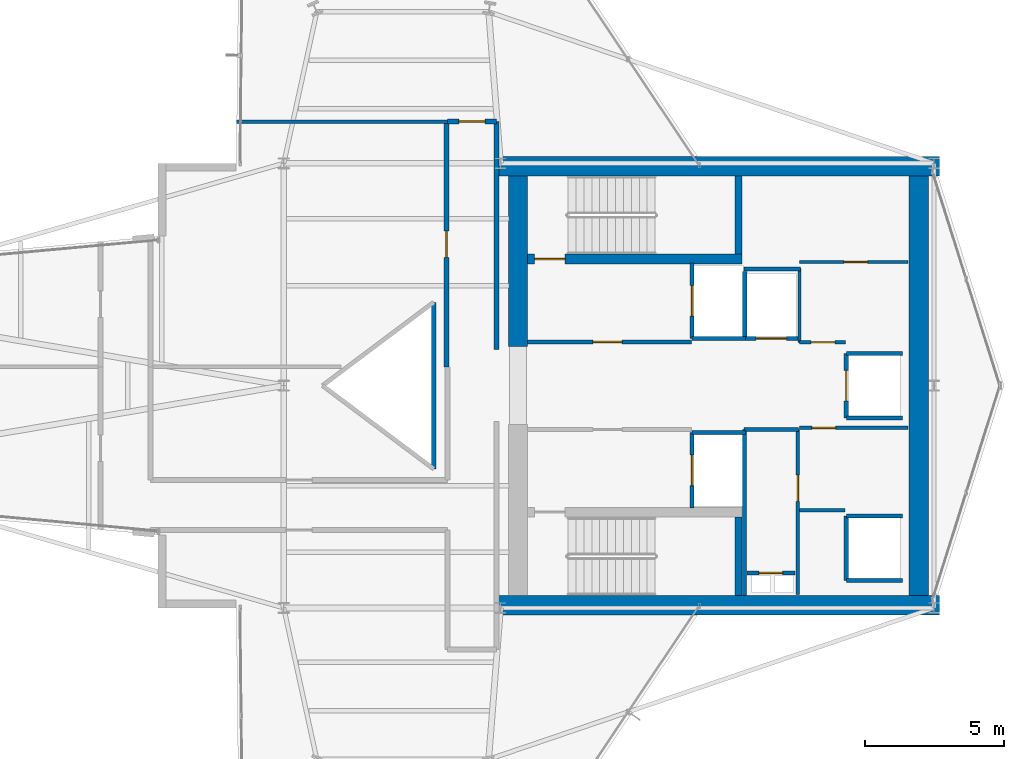
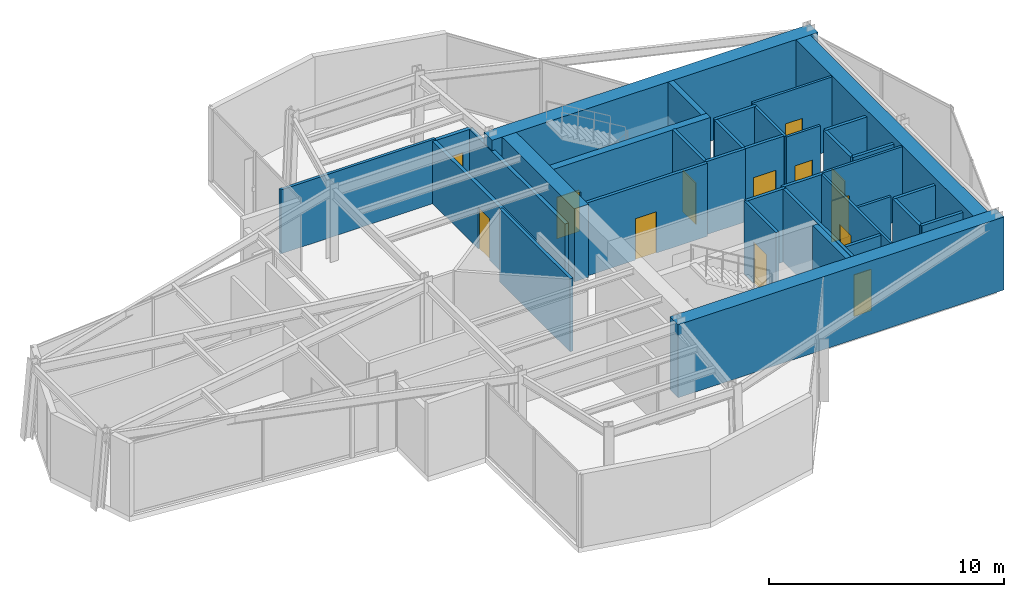
# One storey, part 19 of 21: 35 walls, 13 doors, 13 openings.
"""IFC4 building model written with IfcOpenShell, lengths in metres."""

import ifcopenshell
import ifcopenshell.guid

model = None  # the IFC model being written
_history = None  # IfcOwnerHistory: only IFC2X3 demands one
_inside = {}  # id of a spatial element -> (the spatial element, [elements in it])
_under = {}  # id of a project, library or spatial element -> (it, [spatial elements below it])
_declared = {}  # id of a project -> (the project, [libraries it declares])
_typed = {}  # id of a type object -> (the type object, [elements of that type])
_made_of = {}  # id of a material, layer set ... -> (it, [elements and type objects made of it])


def new_model(schema):
    """Start an empty IFC model of exactly this schema.

    Asked for "IFC4X3", IfcOpenShell would pick the latest addendum, in which some entities
    have other attributes; the version numbers below select the first issue.
    IFC2X3 requires an IfcOwnerHistory on every rooted entity: one is made here for all.
    """
    global model, _history
    if schema == "IFC4X3":
        model = ifcopenshell.file(schema_version=(4, 3, 0, 0))
    else:
        model = ifcopenshell.file(schema=schema)
    _inside.clear()
    _under.clear()
    _declared.clear()
    _typed.clear()
    _made_of.clear()
    _history = None
    if model.schema == "IFC2X3":
        org = make("IfcOrganization", Name="unknown")
        user = make(
            "IfcPersonAndOrganization",
            ThePerson=make("IfcPerson", FamilyName="unknown"),
            TheOrganization=org,
        )
        app = make(
            "IfcApplication",
            ApplicationDeveloper=org,
            Version="unknown",
            ApplicationFullName="unknown",
            ApplicationIdentifier="unknown",
        )
        _history = make(
            "IfcOwnerHistory",
            OwningUser=user,
            OwningApplication=app,
            ChangeAction="ADDED",
            CreationDate=0,
        )
    return model


def make(cls, **values):
    """One entity of the class cls with the attributes given. An attribute that is None is left unset."""
    return model.create_entity(
        cls, **{name: value for name, value in values.items() if value is not None}
    )


def rooted(cls, **values):
    """An entity with a GlobalId (a new one), such as an element, a storey or a relation."""
    return make(cls, GlobalId=ifcopenshell.guid.new(), OwnerHistory=_history, **values)


def si_unit(unit_type, name, prefix=None):
    """IfcSIUnit, for example si_unit("LENGTHUNIT", "METRE", prefix="MILLI")."""
    return make("IfcSIUnit", UnitType=unit_type, Prefix=prefix, Name=name)


def assignment(units):
    """IfcUnitAssignment: the units of a project."""
    return None if units is None else make("IfcUnitAssignment", Units=units)


def point(xyz):
    """IfcCartesianPoint."""
    return None if xyz is None else make("IfcCartesianPoint", Coordinates=xyz)


def direction(xyz):
    """IfcDirection."""
    return None if xyz is None else make("IfcDirection", DirectionRatios=xyz)


def frame(location, z_axis=None, x_axis=None):
    """IfcAxis2Placement3D, a coordinate frame: its origin and axes. An axis left out is left unset."""
    return make(
        "IfcAxis2Placement3D",
        Location=point(location),
        Axis=direction(z_axis),
        RefDirection=direction(x_axis),
    )


def frame_2d(location, x_axis=None):
    """IfcAxis2Placement2D, a coordinate frame in the plane: its origin and x axis."""
    return make(
        "IfcAxis2Placement2D", Location=point(location), RefDirection=direction(x_axis)
    )


def origin():
    """The frame at (0, 0, 0) with its axes left unset."""
    return frame((0.0, 0.0, 0.0))


def place(relative_to, where):
    """IfcLocalPlacement: puts the frame where relative to a parent placement (None: the world)."""
    return make(
        "IfcLocalPlacement", PlacementRelTo=relative_to, RelativePlacement=where
    )


def context(
    kind, dimensions, precision=None, world=None, true_north=None, identifier=None
):
    """IfcGeometricRepresentationContext, for example the 3D "Model" context."""
    return make(
        "IfcGeometricRepresentationContext",
        ContextIdentifier=identifier,
        ContextType=kind,
        CoordinateSpaceDimension=dimensions,
        Precision=precision,
        WorldCoordinateSystem=world,
        TrueNorth=true_north,
    )


def subcontext(parent, identifier, kind, view, scale=None):
    """IfcGeometricRepresentationSubContext, for example "Body" below "Model"."""
    return make(
        "IfcGeometricRepresentationSubContext",
        ContextIdentifier=identifier,
        ContextType=kind,
        ParentContext=parent,
        TargetScale=scale,
        TargetView=view,
    )


def project(units=None, contexts=None):
    """IfcProject with its units and contexts."""
    return rooted(
        "IfcProject",
        Name="project",
        RepresentationContexts=contexts,
        UnitsInContext=assignment(units),
    )


def spatial(cls, under=None, at=None, **own):
    """A site, building, storey or space (cls), placed at a placement, below another one or the project."""
    s = rooted(cls, ObjectPlacement=at, **own)
    if under is not None:
        _under.setdefault(under.id(), (under, []))[1].append(s)
    return s


def profile(cls, at=None, kind="AREA", **sizes):
    """A parametric profile (cls). Its sizes go by their IFC names, for example OverallWidth=200.0."""
    return make(cls, ProfileType=kind, Position=at, **sizes)


def rectangle(**sizes):
    """IfcRectangleProfileDef."""
    return profile("IfcRectangleProfileDef", **sizes)


def extrude(swept, where, along, depth):
    """IfcExtrudedAreaSolid: the profile swept, set in the frame where, extruded along a direction by depth."""
    return make(
        "IfcExtrudedAreaSolid",
        SweptArea=swept,
        Position=where,
        ExtrudedDirection=direction(along),
        Depth=depth,
    )


def shape(context_of_items, identifier, shape_type, items):
    """IfcShapeRepresentation: the items that make up one representation, for example the "Body"."""
    return make(
        "IfcShapeRepresentation",
        ContextOfItems=context_of_items,
        RepresentationIdentifier=identifier,
        RepresentationType=shape_type,
        Items=items,
    )


def material(Name=None, Category=None):
    """IfcMaterial."""
    return make("IfcMaterial", Name=Name, Category=Category)


def layer(
    of_material, thickness, ventilated=None, Name=None, Category=None, Priority=None
):
    """IfcMaterialLayer: one layer of a wall or slab, of a material (None: an air gap)."""
    return make(
        "IfcMaterialLayer",
        Material=of_material,
        LayerThickness=thickness,
        IsVentilated=ventilated,
        Name=Name,
        Category=Category,
        Priority=Priority,
    )


def layer_set(layers, Name=None):
    """IfcMaterialLayerSet."""
    return make("IfcMaterialLayerSet", MaterialLayers=layers, LayerSetName=Name)


def made_of(thing, what):
    """Note that an element or type object is made of a material, layer set ...; save() writes the relation."""
    if what is not None:
        _made_of.setdefault(what.id(), (what, []))[1].append(thing)
    return thing


def type_object(cls, material=None, **own):
    """A type object (cls), such as IfcWallType, which elements share."""
    return made_of(rooted(cls, **own), material)


def element(
    cls,
    number,
    at=None,
    inside=None,
    cuts=None,
    type_object=None,
    material=None,
    context=None,
    identifier="Body",
    shape_type=None,
    held_by="IfcProductDefinitionShape",
    body=None,
    shapes=None,
    **own,
):
    """One element of the class cls, such as IfcWall. Its Tag is "e" and its number.

    at: its placement. inside: the storey or other place that contains it. cuts: it is an
    opening in that element (IfcRelVoidsElement). A single representation is given by context,
    identifier, shape_type and body (its items); several are given by shapes. held_by: the class
    of the entity that holds the representations. save() writes the other relations.
    """
    e = rooted(cls, Tag="e%d" % number, ObjectPlacement=at, **own)
    if body is not None:
        shapes = [shape(context, identifier, shape_type, body)]
    if shapes is not None:
        e.Representation = make(held_by, Representations=shapes)
    if inside is not None:
        _inside.setdefault(inside.id(), (inside, []))[1].append(e)
    if cuts is not None:
        rooted(
            "IfcRelVoidsElement", RelatingBuildingElement=cuts, RelatedOpeningElement=e
        )
    if type_object is not None:
        _typed.setdefault(type_object.id(), (type_object, []))[1].append(e)
    return made_of(e, material)


def fill(opening, filler):
    """IfcRelFillsElement: the door or window that sits in an opening."""
    return rooted(
        "IfcRelFillsElement",
        RelatingOpeningElement=opening,
        RelatedBuildingElement=filler,
    )


def aggregate(whole, parts):
    """IfcRelAggregates: a whole, such as a stair, and the parts it consists of."""
    return rooted("IfcRelAggregates", RelatingObject=whole, RelatedObjects=parts)


def save(model, path):
    """Write the relations noted so far, then the file.

    IfcRelAggregates (storeys below a building ...), IfcRelContainedInSpatialStructure (elements
    in a storey), IfcRelDefinesByType, IfcRelAssociatesMaterial and IfcRelDeclares: one each for
    every whole, place, type object, material and project.
    """
    for whole, parts in _under.values():
        aggregate(whole, parts)
    for where, things in _inside.values():
        rooted(
            "IfcRelContainedInSpatialStructure",
            RelatedElements=things,
            RelatingStructure=where,
        )
    for kind, things in _typed.values():
        rooted("IfcRelDefinesByType", RelatedObjects=things, RelatingType=kind)
    for what, things in _made_of.values():
        rooted("IfcRelAssociatesMaterial", RelatedObjects=things, RelatingMaterial=what)
    for by, libraries in _declared.values():
        rooted("IfcRelDeclares", RelatingContext=by, RelatedDefinitions=libraries)
    model.write(path)


model = new_model("IFC4")

# Units and contexts
model_context = context("Model", 3, precision=1e-05, world=origin(), true_north=direction((0.0, 1.0)))
body_context = subcontext(model_context, "Body", "Model", "MODEL_VIEW")
ifc_project = project(units=[si_unit("LENGTHUNIT", "METRE"), si_unit("AREAUNIT", "SQUARE_METRE"), si_unit("VOLUMEUNIT", "CUBIC_METRE"), si_unit("PLANEANGLEUNIT", "RADIAN"), si_unit("MASSUNIT", "GRAM", prefix="KILO")], contexts=[model_context])

# Site, building, storey
site_placement = place(None, origin())
site = spatial("IfcSite", under=ifc_project, at=site_placement, CompositionType="ELEMENT")
building_placement = place(site_placement, origin())
building = spatial("IfcBuilding", under=site, at=building_placement, Name="Veymaron Broadcast Tower", CompositionType="ELEMENT")
storey_placement = place(building_placement, frame((0.0, 0.0, 212.10009765625)))
storey = spatial("IfcBuildingStorey", under=building, at=storey_placement, Name="L49", CompositionType="ELEMENT", Elevation=212.10009765625)

# Wall, opening, door
ifc_material_1 = material(Name="Gypsum fireboard and steel stud framing", Category="steel")
ifc_layer_1 = layer(ifc_material_1, 0.14990234375)
ifc_layer_set_1 = layer_set([ifc_layer_1], Name="Gypsum fireboard and steel stud framing")
wall_type_1 = type_object("IfcWallType", Name="WALL-FIRE-150", PredefinedType="PARTITIONING", material=ifc_layer_set_1)
wall_1_placement = place(storey_placement, frame((39.97998046875, 25.574951171875, 0.0), z_axis=(0.0, 0.0, 1.0), x_axis=(1.0, 0.0, 0.0)))
wall_1 = element("IfcWall", 1, at=wall_1_placement, inside=storey, type_object=wall_type_1, Name="L49 partition IW-L49-FFLN-S", PredefinedType="PARTITIONING", context=body_context, shape_type="SweptSolid", body=[
    extrude(rectangle(XDim=5.89990234375, YDim=0.14990234375, at=frame_2d((2.949951171875, 0.0))), origin(), (0.0, 0.0, 1.0), 3.789794921875),
])
opening_1_placement = place(wall_1_placement, frame((2.35009765625, 0.0, 0.0)))
opening_1 = element("IfcOpeningElement", 2, at=opening_1_placement, cuts=wall_1, Name="Opening ID-FL1", PredefinedType="OPENING", context=body_context, shape_type="SweptSolid", body=[
    extrude(rectangle(XDim=1.050048828125, YDim=2.14990234375, at=frame_2d((0.52490234375, 1.074951171875))), frame((0.0, 0.0849609375, 0.0), z_axis=(0.0, -1.0, 0.0), x_axis=(1.0, 0.0, 0.0)), (0.0, 0.0, 1.0), 0.169921875),
])
ifc_material_2 = material(Name="Fire-rated painted hollow steel ASTM A653", Category="steel")
door_type_1 = type_object("IfcDoorType", Name="DOOR-FIRE-1050", OperationType="NOTDEFINED", PredefinedType="DOOR", material=ifc_material_2)
door_1_placement = place(opening_1_placement, origin())
door_1 = element("IfcDoor", 3, at=door_1_placement, inside=storey, type_object=door_type_1, Name="L49 door DR-L49-FFLN", OperationType="SINGLE_SWING_LEFT", OverallHeight=2.14990234375, OverallWidth=1.050048828125, PredefinedType="DOOR", context=body_context, shape_type="SweptSolid", body=[
    extrude(rectangle(XDim=1.050048828125, YDim=2.14990234375, at=frame_2d((0.52490234375, 1.074951171875))), frame((0.0, 0.02490234375, 0.0), z_axis=(0.0, -1.0, 0.0), x_axis=(1.0, 0.0, 0.0)), (0.0, 0.0, 1.0), 0.050048828125),
])
fill(opening_1, door_1)

wall_2_placement = place(storey_placement, frame((45.89501953125, 25.68994140625, 0.0), z_axis=(0.0, 0.0, 1.0), x_axis=(0.0, 1.0, 0.0)))
wall_2 = element("IfcWall", 4, at=wall_2_placement, inside=storey, type_object=wall_type_1, Name="L49 partition IW-L49-SHW-FFL-1", PredefinedType="PARTITIONING", context=body_context, shape_type="SweptSolid", body=[
    extrude(rectangle(XDim=2.719970703125, YDim=0.14990234375, at=frame_2d((1.35986328125, 0.0))), origin(), (0.0, 0.0, 1.0), 3.789794921875),
])
opening_2_placement = place(wall_2_placement, frame((0.81005859375, 0.0, 0.0)))
opening_2 = element("IfcOpeningElement", 5, at=opening_2_placement, cuts=wall_2, Name="Opening LD", PredefinedType="OPENING", context=body_context, shape_type="SweptSolid", body=[
    extrude(rectangle(XDim=1.10009765625, YDim=2.14990234375, at=frame_2d((0.550048828125, 1.074951171875))), frame((0.0, 0.0849609375, 0.0), z_axis=(0.0, -1.0, 0.0), x_axis=(1.0, 0.0, 0.0)), (0.0, 0.0, 1.0), 0.169921875),
])
ifc_material_3 = material(Name="Brushed stainless steel AISI 304", Category="steel")
door_type_2 = type_object("IfcDoorType", Name="DOOR-LIFT-1100", OperationType="DOUBLE_DOOR_SLIDING", PredefinedType="DOOR", material=ifc_material_3)
door_2_placement = place(opening_2_placement, frame((1.10009765625, 0.0, 0.0), z_axis=(0.0, 0.0, 1.0), x_axis=(-1.0, 0.0, 0.0)))
door_2 = element("IfcDoor", 6, at=door_2_placement, inside=storey, type_object=door_type_2, Name="L49 door LD-L49-FFL-1", OperationType="DOUBLE_DOOR_SLIDING", OverallHeight=2.14990234375, OverallWidth=1.10009765625, PredefinedType="DOOR", context=body_context, shape_type="SweptSolid", body=[
    extrude(rectangle(XDim=1.10009765625, YDim=2.14990234375, at=frame_2d((0.550048828125, 1.074951171875))), frame((0.0, 0.02490234375, 0.0), z_axis=(0.0, -1.0, 0.0), x_axis=(1.0, 0.0, 0.0)), (0.0, 0.0, 1.0), 0.050048828125),
])
fill(opening_2, door_2)

# Wall
wall_3_placement = place(storey_placement, frame((45.89501953125, 25.68994140625, 0.0), z_axis=(0.0, 0.0, 1.0), x_axis=(1.0, 0.0, 0.0)))
element("IfcWall", 7, at=wall_3_placement, inside=storey, type_object=wall_type_1, Name="L49 partition IW-L49-SHS-FFL-1", PredefinedType="PARTITIONING", context=body_context, shape_type="SweptSolid", body=[
    extrude(rectangle(XDim=1.9150390625, YDim=0.14990234375, at=frame_2d((0.95751953125, 0.0))), origin(), (0.0, 0.0, 1.0), 3.789794921875),
])

# Wall, opening, door
wall_4_placement = place(storey_placement, frame((45.89501953125, 19.590087890625, 0.0), z_axis=(0.0, 0.0, 1.0), x_axis=(0.0, 1.0, 0.0)))
wall_4 = element("IfcWall", 8, at=wall_4_placement, inside=storey, type_object=wall_type_1, Name="L49 partition IW-L49-SHW-FFL-2", PredefinedType="PARTITIONING", context=body_context, shape_type="SweptSolid", body=[
    extrude(rectangle(XDim=2.719970703125, YDim=0.14990234375, at=frame_2d((1.35986328125, 0.0))), origin(), (0.0, 0.0, 1.0), 3.789794921875),
])
opening_3_placement = place(wall_4_placement, frame((0.81005859375, 0.0, 0.0)))
opening_3 = element("IfcOpeningElement", 9, at=opening_3_placement, cuts=wall_4, Name="Opening LD", PredefinedType="OPENING", context=body_context, shape_type="SweptSolid", body=[
    extrude(rectangle(XDim=1.10009765625, YDim=2.14990234375, at=frame_2d((0.550048828125, 1.074951171875))), frame((0.0, 0.0849609375, 0.0), z_axis=(0.0, -1.0, 0.0), x_axis=(1.0, 0.0, 0.0)), (0.0, 0.0, 1.0), 0.169921875),
])
door_3_placement = place(opening_3_placement, frame((1.10009765625, 0.0, 0.0), z_axis=(0.0, 0.0, 1.0), x_axis=(-1.0, 0.0, 0.0)))
door_3 = element("IfcDoor", 10, at=door_3_placement, inside=storey, type_object=door_type_2, Name="L49 door LD-L49-FFL-2", OperationType="DOUBLE_DOOR_SLIDING", OverallHeight=2.14990234375, OverallWidth=1.10009765625, PredefinedType="DOOR", context=body_context, shape_type="SweptSolid", body=[
    extrude(rectangle(XDim=1.10009765625, YDim=2.14990234375, at=frame_2d((0.550048828125, 1.074951171875))), frame((0.0, 0.02490234375, 0.0), z_axis=(0.0, -1.0, 0.0), x_axis=(1.0, 0.0, 0.0)), (0.0, 0.0, 1.0), 0.050048828125),
])
fill(opening_3, door_3)

# Wall
wall_5_placement = place(storey_placement, frame((45.89501953125, 22.31005859375, 0.0), z_axis=(0.0, 0.0, 1.0), x_axis=(1.0, 0.0, 0.0)))
element("IfcWall", 11, at=wall_5_placement, inside=storey, type_object=wall_type_1, Name="L49 partition IW-L49-SHN-FFL-2", PredefinedType="PARTITIONING", context=body_context, shape_type="SweptSolid", body=[
    extrude(rectangle(XDim=1.9150390625, YDim=0.14990234375, at=frame_2d((0.95751953125, 0.0))), origin(), (0.0, 0.0, 1.0), 3.789794921875),
])

# Wall, opening, door
wall_6_placement = place(storey_placement, frame((47.7900390625, 25.695068359375, 0.0), z_axis=(0.0, 0.0, 1.0), x_axis=(1.0, 0.0, 0.0)))
wall_6 = element("IfcWall", 12, at=wall_6_placement, inside=storey, type_object=wall_type_1, Name="L49 partition IW-L49-SHS-SL-1", PredefinedType="PARTITIONING", context=body_context, shape_type="SweptSolid", body=[
    extrude(rectangle(XDim=1.919921875, YDim=0.14990234375, at=frame_2d((0.9599609375, 0.0))), origin(), (0.0, 0.0, 1.0), 3.789794921875),
])
opening_4_placement = place(wall_6_placement, frame((0.409912109375, 0.0, 0.0)))
opening_4 = element("IfcOpeningElement", 13, at=opening_4_placement, cuts=wall_6, Name="Opening LD", PredefinedType="OPENING", context=body_context, shape_type="SweptSolid", body=[
    extrude(rectangle(XDim=1.10009765625, YDim=2.14990234375, at=frame_2d((0.550048828125, 1.074951171875))), frame((0.0, 0.0849609375, 0.0), z_axis=(0.0, -1.0, 0.0), x_axis=(1.0, 0.0, 0.0)), (0.0, 0.0, 1.0), 0.169921875),
])
door_4_placement = place(opening_4_placement, frame((1.10009765625, 0.0, 0.0), z_axis=(0.0, 0.0, 1.0), x_axis=(-1.0, 0.0, 0.0)))
door_4 = element("IfcDoor", 14, at=door_4_placement, inside=storey, type_object=door_type_2, Name="L49 door LD-L49-SL-1", OperationType="DOUBLE_DOOR_SLIDING", OverallHeight=2.14990234375, OverallWidth=1.10009765625, PredefinedType="DOOR", context=body_context, shape_type="SweptSolid", body=[
    extrude(rectangle(XDim=1.10009765625, YDim=2.14990234375, at=frame_2d((0.550048828125, 1.074951171875))), frame((0.0, 0.02490234375, 0.0), z_axis=(0.0, -1.0, 0.0), x_axis=(1.0, 0.0, 0.0)), (0.0, 0.0, 1.0), 0.050048828125),
])
fill(opening_4, door_4)

# Wall
wall_7_placement = place(storey_placement, frame((47.7900390625, 25.695068359375, 0.0), z_axis=(0.0, 0.0, 1.0), x_axis=(0.0, 1.0, 0.0)))
element("IfcWall", 15, at=wall_7_placement, inside=storey, type_object=wall_type_1, Name="L49 partition IW-L49-SHW-SL-1", PredefinedType="PARTITIONING", context=body_context, shape_type="SweptSolid", body=[
    extrude(rectangle(XDim=2.4150390625, YDim=0.14990234375, at=frame_2d((1.20751953125, 0.0))), origin(), (0.0, 0.0, 1.0), 3.789794921875),
])

# Wall, opening, door
wall_8_placement = place(storey_placement, frame((51.445068359375, 22.840087890625, 0.0), z_axis=(0.0, 0.0, 1.0), x_axis=(0.0, 1.0, 0.0)))
wall_8 = element("IfcWall", 16, at=wall_8_placement, inside=storey, type_object=wall_type_1, Name="L49 partition IW-L49-SHW-PM3", PredefinedType="PARTITIONING", context=body_context, shape_type="SweptSolid", body=[
    extrude(rectangle(XDim=2.31982421875, YDim=0.14990234375, at=frame_2d((1.159912109375, 0.0))), origin(), (0.0, 0.0, 1.0), 3.789794921875),
])
opening_5_placement = place(wall_8_placement, frame((0.610107421875, 0.0, 0.0)))
opening_5 = element("IfcOpeningElement", 17, at=opening_5_placement, cuts=wall_8, Name="Opening LD", PredefinedType="OPENING", context=body_context, shape_type="SweptSolid", body=[
    extrude(rectangle(XDim=1.10009765625, YDim=2.14990234375, at=frame_2d((0.550048828125, 1.074951171875))), frame((0.0, 0.0849609375, 0.0), z_axis=(0.0, -1.0, 0.0), x_axis=(1.0, 0.0, 0.0)), (0.0, 0.0, 1.0), 0.169921875),
])
door_5_placement = place(opening_5_placement, frame((1.10009765625, 0.0, 0.0), z_axis=(0.0, 0.0, 1.0), x_axis=(-1.0, 0.0, 0.0)))
door_5 = element("IfcDoor", 18, at=door_5_placement, inside=storey, type_object=door_type_2, Name="L49 door LD-L49-PM3", OperationType="DOUBLE_DOOR_SLIDING", OverallHeight=2.14990234375, OverallWidth=1.10009765625, PredefinedType="DOOR", context=body_context, shape_type="SweptSolid", body=[
    extrude(rectangle(XDim=1.10009765625, YDim=2.14990234375, at=frame_2d((0.550048828125, 1.074951171875))), frame((0.0, 0.02490234375, 0.0), z_axis=(0.0, -1.0, 0.0), x_axis=(1.0, 0.0, 0.0)), (0.0, 0.0, 1.0), 0.050048828125),
])
fill(opening_5, door_5)

# Walls
for number, where, z_axis, x_axis, name in (
    (19, (51.445068359375, 22.840087890625, 0.0), (0.0, 0.0, 1.0), (1.0, 0.0, 0.0), "L49 partition IW-L49-SHS-PM3"),
    (20, (51.445068359375, 25.159912109375, 0.0), (0.0, 0.0, 1.0), (1.0, 0.0, 0.0), "L49 partition IW-L49-SHN-PM3"),
):
    element("IfcWall", number, at=place(storey_placement, frame(where, z_axis=z_axis, x_axis=x_axis)), inside=storey, type_object=wall_type_1, Name=name, PredefinedType="PARTITIONING", context=body_context, shape_type="SweptSolid", body=[
        extrude(rectangle(XDim=2.014892578125, YDim=0.14990234375, at=frame_2d((1.00732421875, 0.0))), origin(), (0.0, 0.0, 1.0), 3.789794921875),
    ])
wall_9_placement = place(storey_placement, frame((51.445068359375, 16.989990234375, 0.0), z_axis=(0.0, 0.0, 1.0), x_axis=(0.0, 1.0, 0.0)))
element("IfcWall", 21, at=wall_9_placement, inside=storey, type_object=wall_type_1, Name="L49 partition IW-L49-SHW-PH1", PredefinedType="PARTITIONING", context=body_context, shape_type="SweptSolid", body=[
    extrude(rectangle(XDim=2.320068359375, YDim=0.14990234375, at=frame_2d((1.16015625, 0.0))), origin(), (0.0, 0.0, 1.0), 3.789794921875),
])
for number, where, z_axis, x_axis, name in (
    (22, (51.445068359375, 16.989990234375, 0.0), (0.0, 0.0, 1.0), (1.0, 0.0, 0.0), "L49 partition IW-L49-SHS-PH1"),
    (23, (51.445068359375, 19.31005859375, 0.0), (0.0, 0.0, 1.0), (1.0, 0.0, 0.0), "L49 partition IW-L49-SHN-PH1"),
):
    element("IfcWall", number, at=place(storey_placement, frame(where, z_axis=z_axis, x_axis=x_axis)), inside=storey, type_object=wall_type_1, Name=name, PredefinedType="PARTITIONING", context=body_context, shape_type="SweptSolid", body=[
        extrude(rectangle(XDim=2.014892578125, YDim=0.14990234375, at=frame_2d((1.00732421875, 0.0))), origin(), (0.0, 0.0, 1.0), 3.789794921875),
    ])

# Wall, opening, door
wall_10_placement = place(storey_placement, frame((47.8798828125, 17.260009765625, 0.0), z_axis=(0.0, 0.0, 1.0), x_axis=(1.0, 0.0, 0.0)))
wall_10 = element("IfcWall", 24, at=wall_10_placement, inside=storey, type_object=wall_type_1, Name="L49 partition IW-L49-RIS-N", PredefinedType="PARTITIONING", context=body_context, shape_type="SweptSolid", body=[
    extrude(rectangle(XDim=1.72021484375, YDim=0.14990234375, at=frame_2d((0.860107421875, 0.0))), origin(), (0.0, 0.0, 1.0), 3.789794921875),
])
opening_6_placement = place(wall_10_placement, frame((0.419921875, 0.0, 0.0)))
opening_6 = element("IfcOpeningElement", 25, at=opening_6_placement, cuts=wall_10, Name="Opening ID-RS1", PredefinedType="OPENING", context=body_context, shape_type="SweptSolid", body=[
    extrude(rectangle(XDim=0.85009765625, YDim=2.14990234375, at=frame_2d((0.425048828125, 1.074951171875))), frame((0.0, 0.0849609375, 0.0), z_axis=(0.0, -1.0, 0.0), x_axis=(1.0, 0.0, 0.0)), (0.0, 0.0, 1.0), 0.169921875),
])
ifc_material_4 = material(Name="Fire-rated powder-coated steel riser leaf", Category="steel")
door_type_3 = type_object("IfcDoorType", Name="DOOR-RIS-850", OperationType="NOTDEFINED", PredefinedType="TRAPDOOR", material=ifc_material_4)
door_6_placement = place(opening_6_placement, origin())
door_6 = element("IfcDoor", 26, at=door_6_placement, inside=storey, type_object=door_type_3, Name="L49 door DR-L49-RIS", OperationType="SINGLE_SWING_LEFT", OverallHeight=2.14990234375, OverallWidth=0.85009765625, PredefinedType="TRAPDOOR", context=body_context, shape_type="SweptSolid", body=[
    extrude(rectangle(XDim=0.85009765625, YDim=2.14990234375, at=frame_2d((0.425048828125, 1.074951171875))), frame((0.0, 0.02490234375, 0.0), z_axis=(0.0, -1.0, 0.0), x_axis=(1.0, 0.0, 0.0)), (0.0, 0.0, 1.0), 0.050048828125),
])
fill(opening_6, door_6)

# Walls
wall_11_placement = place(storey_placement, frame((47.760009765625, 22.425048828125, 0.0), z_axis=(0.0, 0.0, 1.0), x_axis=(1.0, 0.0, 0.0)))
element("IfcWall", 27, at=wall_11_placement, inside=storey, type_object=wall_type_1, Name="L49 partition IW-L49-SM-N", PredefinedType="PARTITIONING", context=body_context, shape_type="SweptSolid", body=[
    extrude(rectangle(XDim=1.9599609375, YDim=0.14990234375, at=frame_2d((0.97998046875, 0.0))), origin(), (0.0, 0.0, 1.0), 3.789794921875),
])
wall_12_placement = place(storey_placement, frame((47.780029296875, 16.449951171875, 0.0), z_axis=(0.0, 0.0, 1.0), x_axis=(0.0, 1.0, 0.0)))
element("IfcWall", 28, at=wall_12_placement, inside=storey, type_object=wall_type_1, Name="L49 partition IW-L49-SM-W", PredefinedType="PARTITIONING", context=body_context, shape_type="SweptSolid", body=[
    extrude(rectangle(XDim=5.97509765625, YDim=0.14990234375, at=frame_2d((2.987548828125, 0.0))), origin(), (0.0, 0.0, 1.0), 3.789794921875),
])
wall_13_placement = place(storey_placement, frame((47.760009765625, 28.199951171875, 0.0), z_axis=(0.0, 0.0, 1.0), x_axis=(1.0, 0.0, 0.0)))
element("IfcWall", 29, at=wall_13_placement, inside=storey, type_object=wall_type_1, Name="L49 partition IW-L49-F2-SW", PredefinedType="PARTITIONING", context=body_context, shape_type="SweptSolid", body=[
    extrude(rectangle(XDim=2.0400390625, YDim=0.14990234375, at=frame_2d((1.02001953125, 0.0))), origin(), (0.0, 0.0, 1.0), 3.789794921875),
])

# Wall, opening, door
ifc_material_5 = material(Name="Concrete C40/50", Category="concrete")
ifc_layer_2 = layer(ifc_material_5, 0.179931640625)
ifc_layer_set_2 = layer_set([ifc_layer_2], Name="Concrete C40/50")
wall_type_2 = type_object("IfcWallType", Name="WALL-FIRE-180", PredefinedType="SOLIDWALL", material=ifc_layer_set_2)
wall_14_placement = place(storey_placement, frame((37.050048828125, 24.677978515625, 0.0), z_axis=(0.0, 0.0, 1.0), x_axis=(0.0, 1.0, 0.0)))
wall_14 = element("IfcWall", 30, at=wall_14_placement, inside=storey, type_object=wall_type_2, Name="L49 partition IW-L49-P11", PredefinedType="SOLIDWALL", context=body_context, shape_type="SweptSolid", body=[
    extrude(rectangle(XDim=8.820068359375, YDim=0.179931640625, at=frame_2d((4.41015625, 0.0))), origin(), (0.0, 0.0, 1.0), 3.240966796875),
])
opening_7_placement = place(wall_14_placement, frame((3.93505859375, 0.0, 0.0)))
opening_7 = element("IfcOpeningElement", 31, at=opening_7_placement, cuts=wall_14, Name="Opening ID-RM1", PredefinedType="OPENING", context=body_context, shape_type="SweptSolid", body=[
    extrude(rectangle(XDim=0.949951171875, YDim=2.14990234375, at=frame_2d((0.47509765625, 1.074951171875))), frame((0.0, 0.10009765625, 0.0), z_axis=(0.0, -1.0, 0.0), x_axis=(1.0, 0.0, 0.0)), (0.0, 0.0, 1.0), 0.199951171875),
])
ifc_material_6 = material(Name="Acoustic solid-core European oak veneer timber", Category="wood")
door_type_4 = type_object("IfcDoorType", Name="DOOR-INT-950", OperationType="NOTDEFINED", PredefinedType="DOOR", material=ifc_material_6)
door_7_placement = place(opening_7_placement, origin())
door_7 = element("IfcDoor", 32, at=door_7_placement, inside=storey, type_object=door_type_4, Name="L49 door DR-L49-P11", OperationType="SINGLE_SWING_RIGHT", OverallHeight=2.14990234375, OverallWidth=0.949951171875, PredefinedType="DOOR", context=body_context, shape_type="SweptSolid", body=[
    extrude(rectangle(XDim=0.949951171875, YDim=2.14990234375, at=frame_2d((0.47509765625, 1.074951171875))), frame((0.0, 0.02490234375, 0.0), z_axis=(0.0, -1.0, 0.0), x_axis=(1.0, 0.0, 0.0)), (0.0, 0.0, 1.0), 0.050048828125),
])
fill(opening_7, door_7)

wall_15_placement = place(storey_placement, frame((37.10009765625, 33.5, 0.0), z_axis=(0.0, 0.0, 1.0), x_axis=(1.0, 0.0, 0.0)))
wall_15 = element("IfcWall", 33, at=wall_15_placement, inside=storey, type_object=wall_type_2, Name="L49 partition IW-L49-P15", PredefinedType="SOLIDWALL", context=body_context, shape_type="SweptSolid", body=[
    extrude(rectangle(XDim=1.75, YDim=0.179931640625, at=frame_2d((0.875, 0.0))), origin(), (0.0, 0.0, 1.0), 3.240966796875),
])
opening_8_placement = place(wall_15_placement, frame((0.39990234375, 0.0, 0.0)))
opening_8 = element("IfcOpeningElement", 34, at=opening_8_placement, cuts=wall_15, Name="Opening ID-RM1", PredefinedType="OPENING", context=body_context, shape_type="SweptSolid", body=[
    extrude(rectangle(XDim=0.949951171875, YDim=2.14990234375, at=frame_2d((0.47509765625, 1.074951171875))), frame((0.0, 0.10009765625, 0.0), z_axis=(0.0, -1.0, 0.0), x_axis=(1.0, 0.0, 0.0)), (0.0, 0.0, 1.0), 0.199951171875),
])
door_8_placement = place(opening_8_placement, origin())
door_8 = element("IfcDoor", 35, at=door_8_placement, inside=storey, type_object=door_type_4, Name="L49 door DR-L49-P15", OperationType="SINGLE_SWING_RIGHT", OverallHeight=2.14990234375, OverallWidth=0.949951171875, PredefinedType="DOOR", context=body_context, shape_type="SweptSolid", body=[
    extrude(rectangle(XDim=0.949951171875, YDim=2.14990234375, at=frame_2d((0.47509765625, 1.074951171875))), frame((0.0, 0.02490234375, 0.0), z_axis=(0.0, -1.0, 0.0), x_axis=(1.0, 0.0, 0.0)), (0.0, 0.0, 1.0), 0.050048828125),
])
fill(opening_8, door_8)

# Walls
wall_16_placement = place(storey_placement, frame((38.85009765625, 25.300048828125, 0.0), z_axis=(0.0, 0.0, 1.0), x_axis=(0.0, 1.0, 0.0)))
element("IfcWall", 36, at=wall_16_placement, inside=storey, type_object=wall_type_2, Name="L49 partition IW-L49-P14", PredefinedType="SOLIDWALL", context=body_context, shape_type="SweptSolid", body=[
    extrude(rectangle(XDim=8.197998046875, YDim=0.179931640625, at=frame_2d((4.09912109375, 0.0))), origin(), (0.0, 0.0, 1.0), 3.240966796875),
])
ifc_material_7 = material(Name="Fire-rated laminated glass in aluminium frame", Category="aluminium")
ifc_layer_3 = layer(ifc_material_7, 0.14990234375)
ifc_layer_set_3 = layer_set([ifc_layer_3], Name="Fire-rated laminated glass in aluminium frame")
wall_type_3 = type_object("IfcWallType", Name="WALL-GLZ-150", PredefinedType="MOVABLE", material=ifc_layer_set_3)
wall_17_placement = place(storey_placement, frame((36.60009765625, 21.0, 0.0), z_axis=(0.0, 0.0, 1.0), x_axis=(0.0, 1.0, 0.0)))
element("IfcWall", 37, at=wall_17_placement, inside=storey, type_object=wall_type_3, Name="L49 partition IW-L49-ATR2", PredefinedType="MOVABLE", context=body_context, shape_type="SweptSolid", body=[
    extrude(rectangle(XDim=6.0, YDim=0.14990234375, at=frame_2d((3.0, 0.0))), origin(), (0.0, 0.0, 1.0), 3.789794921875),
])

# Wall, opening, door
ifc_material_8 = material(Name="Acoustic gypsum board and galvanized stud", Category="gypsum")
ifc_layer_4 = layer(ifc_material_8, 0.1201171875)
ifc_layer_set_4 = layer_set([ifc_layer_4], Name="Acoustic gypsum board and galvanized stud")
wall_type_4 = type_object("IfcWallType", Name="WALL-PART-120", PredefinedType="PARTITIONING", material=ifc_layer_set_4)
wall_18_placement = place(storey_placement, frame((49.699951171875, 16.47998046875, 0.0), z_axis=(0.0, 0.0, 1.0), x_axis=(0.0, 1.0, 0.0)))
wall_18 = element("IfcWall", 38, at=wall_18_placement, inside=storey, type_object=wall_type_4, Name="L49 partition IW-L49-SM-E", PredefinedType="PARTITIONING", context=body_context, shape_type="SweptSolid", body=[
    extrude(rectangle(XDim=5.945068359375, YDim=0.1201171875, at=frame_2d((2.97265625, 0.0))), origin(), (0.0, 0.0, 1.0), 3.789794921875),
])
opening_9_placement = place(wall_18_placement, frame((3.35009765625, 0.0, 0.0)))
opening_9 = element("IfcOpeningElement", 39, at=opening_9_placement, cuts=wall_18, Name="Opening ID-RM1", PredefinedType="OPENING", context=body_context, shape_type="SweptSolid", body=[
    extrude(rectangle(XDim=0.949951171875, YDim=2.14990234375, at=frame_2d((0.47509765625, 1.074951171875))), frame((0.0, 0.070068359375, 0.0), z_axis=(0.0, -1.0, 0.0), x_axis=(1.0, 0.0, 0.0)), (0.0, 0.0, 1.0), 0.14013671875),
])
door_9_placement = place(opening_9_placement, frame((0.949951171875, 0.0, 0.0), z_axis=(0.0, 0.0, 1.0), x_axis=(-1.0, 0.0, 0.0)))
door_9 = element("IfcDoor", 40, at=door_9_placement, inside=storey, type_object=door_type_4, Name="L49 door DR-L49-AWC", OperationType="SINGLE_SWING_LEFT", OverallHeight=2.14990234375, OverallWidth=0.949951171875, PredefinedType="DOOR", context=body_context, shape_type="SweptSolid", body=[
    extrude(rectangle(XDim=0.949951171875, YDim=2.14990234375, at=frame_2d((0.47509765625, 1.074951171875))), frame((0.0, 0.02490234375, 0.0), z_axis=(0.0, -1.0, 0.0), x_axis=(1.0, 0.0, 0.0)), (0.0, 0.0, 1.0), 0.050048828125),
])
fill(opening_9, door_9)

wall_19_placement = place(storey_placement, frame((49.760009765625, 22.47998046875, 0.0), z_axis=(0.0, 0.0, 1.0), x_axis=(1.0, 0.0, 0.0)))
wall_19 = element("IfcWall", 41, at=wall_19_placement, inside=storey, type_object=wall_type_4, Name="L49 partition IW-L49-F2S-N", PredefinedType="PARTITIONING", context=body_context, shape_type="SweptSolid", body=[
    extrude(rectangle(XDim=3.89990234375, YDim=0.1201171875, at=frame_2d((1.949951171875, 0.0))), origin(), (0.0, 0.0, 1.0), 3.789794921875),
])
opening_10_placement = place(wall_19_placement, frame((0.449951171875, 0.0, 0.0)))
opening_10 = element("IfcOpeningElement", 42, at=opening_10_placement, cuts=wall_19, Name="Opening ID-WC1", PredefinedType="OPENING", context=body_context, shape_type="SweptSolid", body=[
    extrude(rectangle(XDim=0.85009765625, YDim=2.14990234375, at=frame_2d((0.425048828125, 1.074951171875))), frame((0.0, 0.070068359375, 0.0), z_axis=(0.0, -1.0, 0.0), x_axis=(1.0, 0.0, 0.0)), (0.0, 0.0, 1.0), 0.14013671875),
])
ifc_material_9 = material(Name="Moisture-resistant high-pressure laminate timber", Category="wood")
door_type_5 = type_object("IfcDoorType", Name="DOOR-INT-850", OperationType="NOTDEFINED", PredefinedType="DOOR", material=ifc_material_9)
door_10_placement = place(opening_10_placement, frame((0.85009765625, 0.0, 0.0), z_axis=(0.0, 0.0, 1.0), x_axis=(-1.0, 0.0, 0.0)))
door_10 = element("IfcDoor", 43, at=door_10_placement, inside=storey, type_object=door_type_5, Name="L49 door DR-L49-F2S", OperationType="SINGLE_SWING_LEFT", OverallHeight=2.14990234375, OverallWidth=0.85009765625, PredefinedType="DOOR", context=body_context, shape_type="SweptSolid", body=[
    extrude(rectangle(XDim=0.85009765625, YDim=2.14990234375, at=frame_2d((0.425048828125, 1.074951171875))), frame((0.0, 0.02490234375, 0.0), z_axis=(0.0, -1.0, 0.0), x_axis=(1.0, 0.0, 0.0)), (0.0, 0.0, 1.0), 0.050048828125),
])
fill(opening_10, door_10)

# Walls
wall_20_placement = place(storey_placement, frame((49.760009765625, 19.52001953125, 0.0), z_axis=(0.0, 0.0, 1.0), x_axis=(1.0, 0.0, 0.0)))
element("IfcWall", 44, at=wall_20_placement, inside=storey, type_object=wall_type_4, Name="L49 partition IW-L49-F2S-S", PredefinedType="PARTITIONING", context=body_context, shape_type="SweptSolid", body=[
    extrude(rectangle(XDim=1.639892578125, YDim=0.1201171875, at=frame_2d((0.81982421875, 0.0))), origin(), (0.0, 0.0, 1.0), 3.789794921875),
])
wall_21_placement = place(storey_placement, frame((49.760009765625, 25.56005859375, 0.0), z_axis=(0.0, 0.0, 1.0), x_axis=(0.0, 1.0, 0.0)))
element("IfcWall", 45, at=wall_21_placement, inside=storey, type_object=wall_type_4, Name="L49 partition IW-L49-F2-W1", PredefinedType="PARTITIONING", context=body_context, shape_type="SweptSolid", body=[
    extrude(rectangle(XDim=2.659912109375, YDim=0.1201171875, at=frame_2d((1.330078125, 0.0))), origin(), (0.0, 0.0, 1.0), 3.789794921875),
])

# Wall, opening, door
wall_22_placement = place(storey_placement, frame((49.760009765625, 25.56005859375, 0.0), z_axis=(0.0, 0.0, 1.0), x_axis=(1.0, 0.0, 0.0)))
wall_22 = element("IfcWall", 46, at=wall_22_placement, inside=storey, type_object=wall_type_4, Name="L49 partition IW-L49-F2-S", PredefinedType="PARTITIONING", context=body_context, shape_type="SweptSolid", body=[
    extrude(rectangle(XDim=1.659912109375, YDim=0.1201171875, at=frame_2d((0.830078125, 0.0))), origin(), (0.0, 0.0, 1.0), 3.789794921875),
])
opening_11_placement = place(wall_22_placement, frame((0.419921875, 0.0, 0.0)))
opening_11 = element("IfcOpeningElement", 47, at=opening_11_placement, cuts=wall_22, Name="Opening ID-WC1", PredefinedType="OPENING", context=body_context, shape_type="SweptSolid", body=[
    extrude(rectangle(XDim=0.85009765625, YDim=2.14990234375, at=frame_2d((0.425048828125, 1.074951171875))), frame((0.0, 0.070068359375, 0.0), z_axis=(0.0, -1.0, 0.0), x_axis=(1.0, 0.0, 0.0)), (0.0, 0.0, 1.0), 0.14013671875),
])
door_11_placement = place(opening_11_placement, origin())
door_11 = element("IfcDoor", 48, at=door_11_placement, inside=storey, type_object=door_type_5, Name="L49 door DR-L49-F2A", OperationType="SINGLE_SWING_LEFT", OverallHeight=2.14990234375, OverallWidth=0.85009765625, PredefinedType="DOOR", context=body_context, shape_type="SweptSolid", body=[
    extrude(rectangle(XDim=0.85009765625, YDim=2.14990234375, at=frame_2d((0.425048828125, 1.074951171875))), frame((0.0, 0.02490234375, 0.0), z_axis=(0.0, -1.0, 0.0), x_axis=(1.0, 0.0, 0.0)), (0.0, 0.0, 1.0), 0.050048828125),
])
fill(opening_11, door_11)

wall_23_placement = place(storey_placement, frame((49.760009765625, 28.449951171875, 0.0), z_axis=(0.0, 0.0, 1.0), x_axis=(1.0, 0.0, 0.0)))
wall_23 = element("IfcWall", 49, at=wall_23_placement, inside=storey, type_object=wall_type_4, Name="L49 partition IW-L49-F2-M", PredefinedType="PARTITIONING", context=body_context, shape_type="SweptSolid", body=[
    extrude(rectangle(XDim=3.89990234375, YDim=0.1201171875, at=frame_2d((1.949951171875, 0.0))), origin(), (0.0, 0.0, 1.0), 3.789794921875),
])
opening_12_placement = place(wall_23_placement, frame((1.60009765625, 0.0, 0.0)))
opening_12 = element("IfcOpeningElement", 50, at=opening_12_placement, cuts=wall_23, Name="Opening ID-WC1", PredefinedType="OPENING", context=body_context, shape_type="SweptSolid", body=[
    extrude(rectangle(XDim=0.85009765625, YDim=2.14990234375, at=frame_2d((0.425048828125, 1.074951171875))), frame((0.0, 0.070068359375, 0.0), z_axis=(0.0, -1.0, 0.0), x_axis=(1.0, 0.0, 0.0)), (0.0, 0.0, 1.0), 0.14013671875),
])
door_12_placement = place(opening_12_placement, origin())
door_12 = element("IfcDoor", 51, at=door_12_placement, inside=storey, type_object=door_type_5, Name="L49 door DR-L49-F2B", OperationType="SINGLE_SWING_RIGHT", OverallHeight=2.14990234375, OverallWidth=0.85009765625, PredefinedType="DOOR", context=body_context, shape_type="SweptSolid", body=[
    extrude(rectangle(XDim=0.85009765625, YDim=2.14990234375, at=frame_2d((0.425048828125, 1.074951171875))), frame((0.0, 0.02490234375, 0.0), z_axis=(0.0, -1.0, 0.0), x_axis=(1.0, 0.0, 0.0)), (0.0, 0.0, 1.0), 0.050048828125),
])
fill(opening_12, door_12)

# Walls
ifc_material_10 = material(Name="Double-layer acoustic gypsum and stud", Category="gypsum")
ifc_layer_5 = layer(ifc_material_10, 0.135009765625)
ifc_layer_set_5 = layer_set([ifc_layer_5], Name="Double-layer acoustic gypsum and stud")
wall_type_5 = type_object("IfcWallType", Name="WALL-PART-135", PredefinedType="PARTITIONING", material=ifc_layer_set_5)
wall_24_placement = place(storey_placement, frame((29.505615234375, 33.498046875, 0.0), z_axis=(0.0, 0.0, 1.0), x_axis=(1.0, 0.0, 0.0)))
element("IfcWall", 52, at=wall_24_placement, inside=storey, type_object=wall_type_5, Name="L49 partition IW-L49-P18", PredefinedType="PARTITIONING", context=body_context, shape_type="SweptSolid", body=[
    extrude(rectangle(XDim=7.594482421875, YDim=0.135009765625, at=frame_2d((3.79736328125, 0.0))), origin(), (0.0, 0.0, 1.0), 3.31884765625),
])
ifc_material_11 = material(Name="Concrete C50/60", Category="concrete")
ifc_layer_6 = layer(ifc_material_11, 0.25)
ifc_layer_set_6 = layer_set([ifc_layer_6], Name="Concrete C50/60")
wall_type_6 = type_object("IfcWallType", Name="WALL-SHEAR-250", PredefinedType="SHEAR", material=ifc_layer_set_6)
for number, where, z_axis, x_axis, name in (
    (53, (47.56494140625, 28.72998046875, 0.0), (0.0, 0.0, 1.0), (0.0, 1.0, 0.0), "L49 Core Wall north stair east shear"),
    (54, (47.56494140625, 16.449951171875, 0.0), (0.0, 0.0, 1.0), (0.0, 1.0, 0.0), "L49 Core Wall south stair east shear"),
):
    element("IfcWall", number, at=place(storey_placement, frame(where, z_axis=z_axis, x_axis=x_axis)), inside=storey, type_object=wall_type_6, Name=name, PredefinedType="SHEAR", context=body_context, shape_type="SweptSolid", body=[
        extrude(rectangle(XDim=2.820068359375, YDim=0.25, at=frame_2d((1.41015625, 0.0))), origin(), (0.0, 0.0, 1.0), 3.789794921875),
    ])

# Wall, opening, door
ifc_layer_7 = layer(ifc_material_11, 0.35009765625)
ifc_layer_set_7 = layer_set([ifc_layer_7], Name="Concrete C50/60")
wall_type_7 = type_object("IfcWallType", Name="WALL-SHEAR-350", PredefinedType="SHEAR", material=ifc_layer_set_7)
wall_25_placement = place(storey_placement, frame((39.97998046875, 28.554931640625, 0.0), z_axis=(0.0, 0.0, 1.0), x_axis=(1.0, 0.0, 0.0)))
wall_25 = element("IfcWall", 55, at=wall_25_placement, inside=storey, type_object=wall_type_7, Name="L49 Core Wall north stair spine", PredefinedType="SHEAR", context=body_context, shape_type="SweptSolid", body=[
    extrude(rectangle(XDim=7.7099609375, YDim=0.35009765625, at=frame_2d((3.85498046875, 0.0))), origin(), (0.0, 0.0, 1.0), 3.789794921875),
])
opening_13_placement = place(wall_25_placement, frame((0.25, 0.0, 0.0)))
opening_13 = element("IfcOpeningElement", 56, at=opening_13_placement, cuts=wall_25, Name="Opening ID-ST1", PredefinedType="OPENING", context=body_context, shape_type="SweptSolid", body=[
    extrude(rectangle(XDim=1.10009765625, YDim=2.14990234375, at=frame_2d((0.550048828125, 1.074951171875))), frame((0.0, 0.18505859375, 0.0), z_axis=(0.0, -1.0, 0.0), x_axis=(1.0, 0.0, 0.0)), (0.0, 0.0, 1.0), 0.3701171875),
])
door_type_6 = type_object("IfcDoorType", Name="DOOR-STAIR-1100", OperationType="NOTDEFINED", PredefinedType="DOOR", material=ifc_material_2)
door_13_placement = place(opening_13_placement, origin())
door_13 = element("IfcDoor", 57, at=door_13_placement, inside=storey, type_object=door_type_6, Name="L49 exit stair ST1 fire door", OperationType="SINGLE_SWING_RIGHT", OverallHeight=2.14990234375, OverallWidth=1.10009765625, PredefinedType="DOOR", context=body_context, shape_type="SweptSolid", body=[
    extrude(rectangle(XDim=1.10009765625, YDim=2.14990234375, at=frame_2d((0.550048828125, 1.074951171875))), frame((0.0, 0.02490234375, 0.0), z_axis=(0.0, -1.0, 0.0), x_axis=(1.0, 0.0, 0.0)), (0.0, 0.0, 1.0), 0.050048828125),
])
fill(opening_13, door_13)

# Walls
ifc_material_12 = material(Name="Concrete C60/75", Category="concrete")
ifc_layer_8 = layer(ifc_material_12, 0.699951171875)
ifc_layer_set_8 = layer_set([ifc_layer_8], Name="Concrete C60/75")
wall_type_8 = type_object("IfcWallType", Name="WALL-SHEAR-700", PredefinedType="SHEAR", material=ifc_layer_set_8)
for number, where, z_axis, x_axis, name in (
    (58, (38.800048828125, 31.89990234375, 0.0), (0.0, 0.0, 1.0), (1.0, 0.0, 0.0), "L49 Core Wall north shear"),
    (59, (38.800048828125, 16.10009765625, 0.0), (0.0, 0.0, 1.0), (1.0, 0.0, 0.0), "L49 Core Wall south shear"),
):
    element("IfcWall", number, at=place(storey_placement, frame(where, z_axis=z_axis, x_axis=x_axis)), inside=storey, type_object=wall_type_8, Name=name, PredefinedType="SHEAR", context=body_context, shape_type="SweptSolid", body=[
        extrude(rectangle(XDim=16.0, YDim=0.699951171875, at=frame_2d((8.0, 0.0))), origin(), (0.0, 0.0, 1.0), 3.789794921875),
    ])
wall_26_placement = place(storey_placement, frame((39.6298828125, 25.39990234375, 0.0), z_axis=(0.0, 0.0, 1.0), x_axis=(0.0, 1.0, 0.0)))
element("IfcWall", 60, at=wall_26_placement, inside=storey, type_object=wall_type_8, Name="L49 Core Wall west-north shear", PredefinedType="SHEAR", context=body_context, shape_type="SweptSolid", body=[
    extrude(rectangle(XDim=6.150146484375, YDim=0.699951171875, at=frame_2d((3.0751953125, 0.0))), origin(), (0.0, 0.0, 1.0), 3.789794921875),
])
wall_27_placement = place(storey_placement, frame((54.050048828125, 16.449951171875, 0.0), z_axis=(0.0, 0.0, 1.0), x_axis=(0.0, 1.0, 0.0)))
element("IfcWall", 61, at=wall_27_placement, inside=storey, type_object=wall_type_8, Name="L49 Core Wall east shear", PredefinedType="SHEAR", context=body_context, shape_type="SweptSolid", body=[
    extrude(rectangle(XDim=15.10009765625, YDim=0.699951171875, at=frame_2d((7.550048828125, 0.0))), origin(), (0.0, 0.0, 1.0), 3.789794921875),
])

save(model, "model.ifc")
